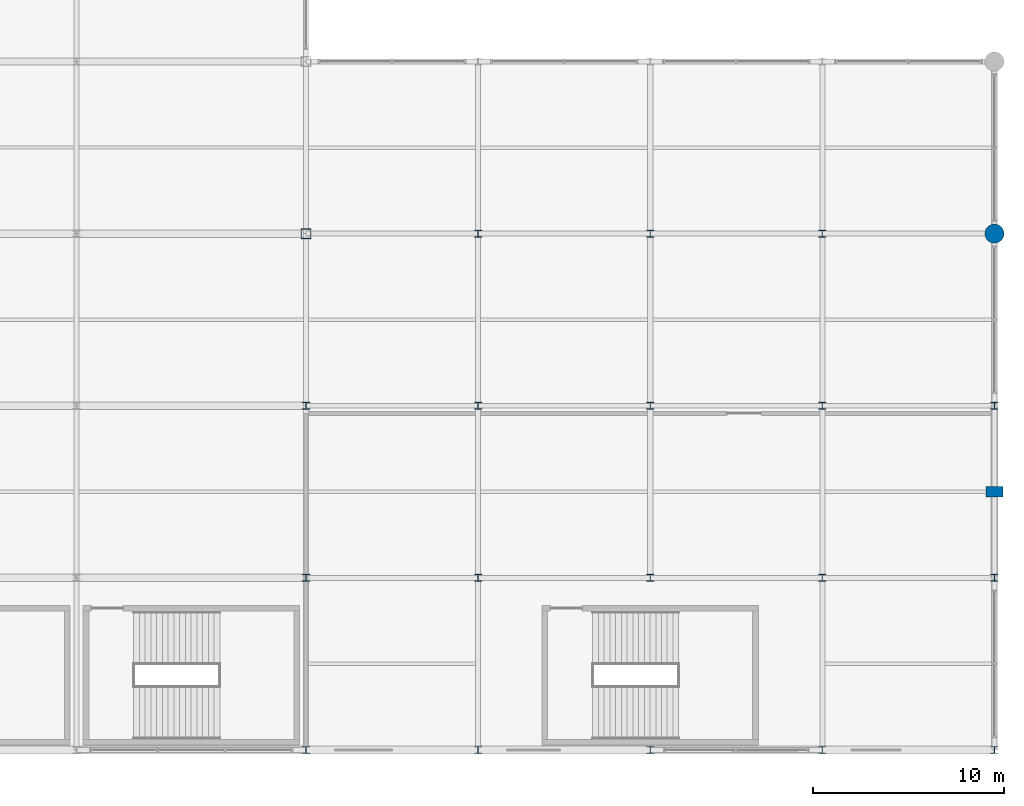
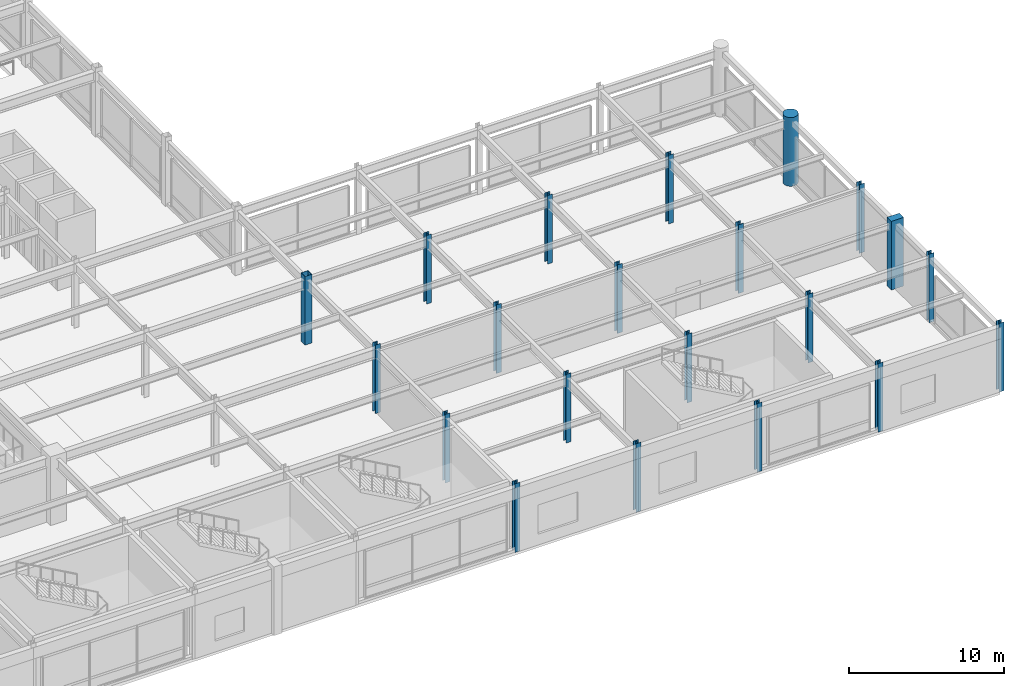
# One storey, part 15 of 100: 21 columns.
"""IFC4 building model written with IfcOpenShell, lengths in metres."""

from ifc_helpers import new_model, si_unit, direction, frame, origin, origin_2d, place, context, subcontext, project, spatial, rectangle, hollow_rectangle, circle, i_section, extrude, material, material_profile, profile_set, type_object, element, save


model = new_model("IFC4")

# Units and contexts
model_context = context("Model", 3, precision=1e-05, world=origin(), true_north=direction((0.0, 1.0)))
body_context = subcontext(model_context, "Body", "Model", "MODEL_VIEW")
ifc_project = project(units=[si_unit("LENGTHUNIT", "METRE"), si_unit("AREAUNIT", "SQUARE_METRE"), si_unit("VOLUMEUNIT", "CUBIC_METRE"), si_unit("PLANEANGLEUNIT", "RADIAN"), si_unit("MASSUNIT", "GRAM", prefix="KILO")], contexts=[model_context])

# Site, building, storey
site_placement = place(None, origin())
site = spatial("IfcSite", under=ifc_project, at=site_placement, CompositionType="ELEMENT")
building_placement = place(site_placement, origin())
building = spatial("IfcBuilding", under=site, at=building_placement, Name="Kaldorvane Square Convention Centre", CompositionType="ELEMENT")
storey_placement = place(building_placement, frame((0.0, 0.0, 18.0)))
storey = spatial("IfcBuildingStorey", under=building, at=storey_placement, Name="L03", CompositionType="ELEMENT", Elevation=18.0)

# Columns
ifc_material_1 = material(Name="Steel ASTM A500 Gr. C", Category="steel")
ifc_material_profile_1 = material_profile(ifc_material_1, hollow_rectangle(XDim=0.50799560546875, YDim=0.50799560546875, WallThickness=0.014801025390625, at=origin_2d()), Name="HSS20X20X5/8")
ifc_profile_set_1 = profile_set([ifc_material_profile_1], Name="Steel ASTM A500 Gr. C")
column_type_1 = type_object("IfcColumnType", Name="COL-HSS-20", PredefinedType="COLUMN", material=ifc_profile_set_1)
column_1_placement = place(storey_placement, frame((138.0, 27.0, 0.0), z_axis=(0.0, 0.0, 1.0), x_axis=(1.0, 0.0, 0.0)))
element("IfcColumn", 1, at=column_1_placement, inside=storey, type_object=column_type_1, Name="Column SC-13 (L03)", PredefinedType="COLUMN", context=body_context, shape_type="SweptSolid", body=[
    extrude(hollow_rectangle(XDim=0.50799560546875, YDim=0.50799560546875, WallThickness=0.014801025390625, at=origin_2d()), origin(), (0.0, 0.0, 1.0), 5.399993896484375),
])
ifc_material_2 = material(Name="Concrete f'c = 55 MPa (Normalweight)", Category="concrete")
ifc_material_profile_2 = material_profile(ifc_material_2, circle(Radius=0.5, at=origin_2d()), Name="RC-D1000")
ifc_profile_set_2 = profile_set([ifc_material_profile_2], Name="Concrete f'c = 55 MPa (Normalweight)")
column_type_2 = type_object("IfcColumnType", Name="COL-RC-D1000", PredefinedType="COLUMN", material=ifc_profile_set_2)
column_2_placement = place(storey_placement, frame((174.0, 27.0, 0.0), z_axis=(0.0, 0.0, 1.0), x_axis=(1.0, 0.0, 0.0)))
element("IfcColumn", 2, at=column_2_placement, inside=storey, type_object=column_type_2, Name="Column CC-08 (L03)", PredefinedType="COLUMN", context=body_context, shape_type="SweptSolid", body=[
    extrude(circle(Radius=0.5, at=origin_2d()), origin(), (0.0, 0.0, 1.0), 5.399993896484375),
])
ifc_material_3 = material(Name="Steel ASTM A992 Gr. 50", Category="steel")
ifc_material_profile_3 = material_profile(ifc_material_3, i_section(OverallWidth=0.3701019287109375, OverallDepth=0.360198974609375, WebThickness=0.012298583984375, FlangeThickness=0.019805908203125, FilletRadius=0.0305023193359375, at=origin_2d()), Name="W14X99")
ifc_profile_set_3 = profile_set([ifc_material_profile_3], Name="Steel ASTM A992 Gr. 50")
column_type_3 = type_object("IfcColumnType", Name="COL-STL-99", PredefinedType="COLUMN", material=ifc_profile_set_3)
for number, where, z_axis, x_axis, name in (
    (3, (138.0, 0.0, 0.0), (0.0, 0.0, 1.0), (1.0, 0.0, 0.0), "Column SC-12 (L03)"),
    (4, (138.0, 9.0, 0.0), (0.0, 0.0, 1.0), (1.0, 0.0, 0.0), "Column SC-12 (L03)"),
    (5, (138.0, 18.0, 0.0), (0.0, 0.0, 1.0), (1.0, 0.0, 0.0), "Column SC-12 (L03)"),
    (6, (147.0, 0.0, 0.0), (0.0, 0.0, 1.0), (1.0, 0.0, 0.0), "Column SC-12 (L03)"),
    (7, (147.0, 9.0, 0.0), (0.0, 0.0, 1.0), (1.0, 0.0, 0.0), "Column SC-12 (L03)"),
    (8, (147.0, 18.0, 0.0), (0.0, 0.0, 1.0), (1.0, 0.0, 0.0), "Column SC-12 (L03)"),
    (9, (147.0, 27.0, 0.0), (0.0, 0.0, 1.0), (1.0, 0.0, 0.0), "Column SC-12 (L03)"),
    (10, (156.0, 0.0, 0.0), (0.0, 0.0, 1.0), (1.0, 0.0, 0.0), "Column SC-12 (L03)"),
    (11, (156.0, 9.0, 0.0), (0.0, 0.0, 1.0), (1.0, 0.0, 0.0), "Column SC-12 (L03)"),
    (12, (156.0, 18.0, 0.0), (0.0, 0.0, 1.0), (1.0, 0.0, 0.0), "Column SC-12 (L03)"),
    (13, (156.0, 27.0, 0.0), (0.0, 0.0, 1.0), (1.0, 0.0, 0.0), "Column SC-12 (L03)"),
    (14, (165.0, 0.0, 0.0), (0.0, 0.0, 1.0), (1.0, 0.0, 0.0), "Column SC-12 (L03)"),
    (15, (165.0, 9.0, 0.0), (0.0, 0.0, 1.0), (1.0, 0.0, 0.0), "Column SC-12 (L03)"),
    (16, (165.0, 18.0, 0.0), (0.0, 0.0, 1.0), (1.0, 0.0, 0.0), "Column SC-12 (L03)"),
    (17, (165.0, 27.0, 0.0), (0.0, 0.0, 1.0), (1.0, 0.0, 0.0), "Column SC-12 (L03)"),
    (18, (174.0, 0.0, 0.0), (0.0, 0.0, 1.0), (1.0, 0.0, 0.0), "Column SC-12 (L03)"),
    (19, (174.0, 9.0, 0.0), (0.0, 0.0, 1.0), (1.0, 0.0, 0.0), "Column SC-12 (L03)"),
    (20, (174.0, 18.0, 0.0), (0.0, 0.0, 1.0), (1.0, 0.0, 0.0), "Column SC-12 (L03)"),
):
    element("IfcColumn", number, at=place(storey_placement, frame(where, z_axis=z_axis, x_axis=x_axis)), inside=storey, type_object=column_type_3, Name=name, PredefinedType="COLUMN", context=body_context, shape_type="SweptSolid", body=[
        extrude(i_section(OverallWidth=0.3701019287109375, OverallDepth=0.360198974609375, WebThickness=0.012298583984375, FlangeThickness=0.019805908203125, FilletRadius=0.0305023193359375, at=origin_2d()), origin(), (0.0, 0.0, 1.0), 5.399993896484375),
    ])
ifc_material_4 = material(Name="Concrete f'c = 42 MPa (Normalweight)", Category="concrete")
ifc_material_profile_4 = material_profile(ifc_material_4, rectangle(XDim=0.5500030517578125, YDim=0.899993896484375, at=origin_2d()), Name="PIL900X550")
ifc_profile_set_4 = profile_set([ifc_material_profile_4], Name="Concrete f'c = 42 MPa (Normalweight)")
column_type_4 = type_object("IfcColumnType", Name="PIL-BRUT-900", PredefinedType="PILASTER", material=ifc_profile_set_4)
column_3_placement = place(storey_placement, frame((174.0, 13.5, 0.0), z_axis=(0.0, 0.0, 1.0), x_axis=(0.0, 1.0, 0.0)))
element("IfcColumn", 21, at=column_3_placement, inside=storey, type_object=column_type_4, Name="Brutalist Colonnade Pilaster (L03)", PredefinedType="PILASTER", context=body_context, shape_type="SweptSolid", body=[
    extrude(rectangle(XDim=0.5500030517578125, YDim=0.899993896484375, at=origin_2d()), origin(), (0.0, 0.0, 1.0), 5.399993896484375),
])

save(model, "model.ifc")
